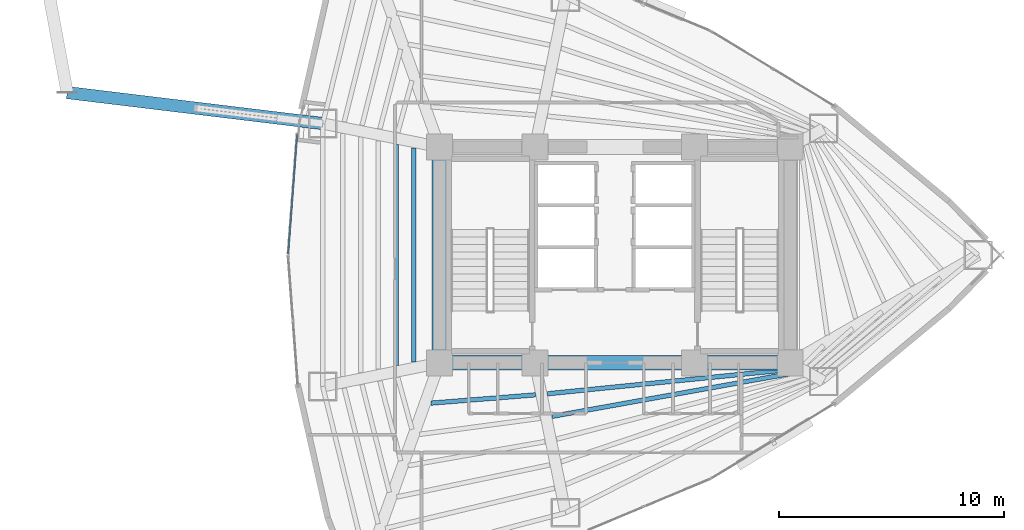
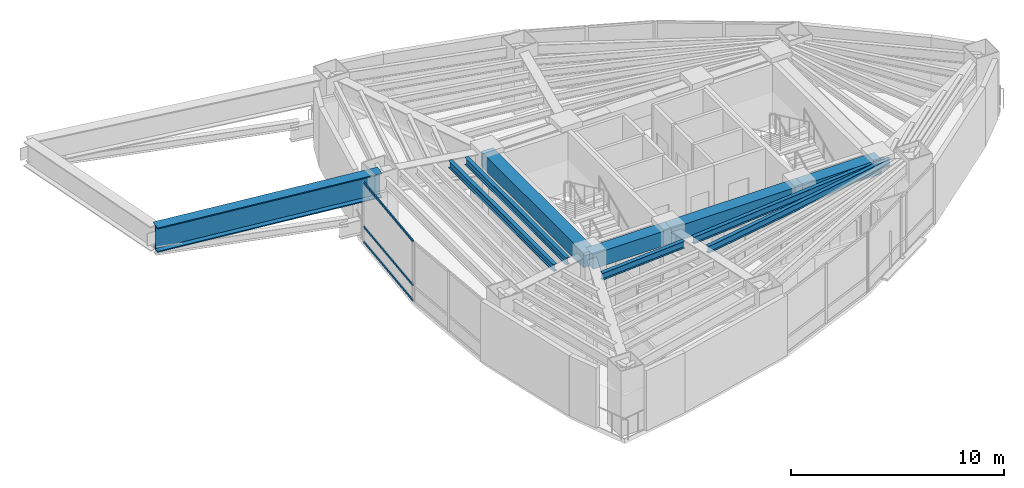
# One storey, part 5 of 17: 10 beams, 3 members, 1 element without a shape of its own.
"""IFC4 building model written with IfcOpenShell, lengths in metres."""

import ifcopenshell
import ifcopenshell.guid

model = None  # the IFC model being written
_history = None  # IfcOwnerHistory: only IFC2X3 demands one
_inside = {}  # id of a spatial element -> (the spatial element, [elements in it])
_under = {}  # id of a project, library or spatial element -> (it, [spatial elements below it])
_declared = {}  # id of a project -> (the project, [libraries it declares])
_typed = {}  # id of a type object -> (the type object, [elements of that type])
_made_of = {}  # id of a material, layer set ... -> (it, [elements and type objects made of it])


def new_model(schema):
    """Start an empty IFC model of exactly this schema.

    Asked for "IFC4X3", IfcOpenShell would pick the latest addendum, in which some entities
    have other attributes; the version numbers below select the first issue.
    IFC2X3 requires an IfcOwnerHistory on every rooted entity: one is made here for all.
    """
    global model, _history
    if schema == "IFC4X3":
        model = ifcopenshell.file(schema_version=(4, 3, 0, 0))
    else:
        model = ifcopenshell.file(schema=schema)
    _inside.clear()
    _under.clear()
    _declared.clear()
    _typed.clear()
    _made_of.clear()
    _history = None
    if model.schema == "IFC2X3":
        org = make("IfcOrganization", Name="unknown")
        user = make(
            "IfcPersonAndOrganization",
            ThePerson=make("IfcPerson", FamilyName="unknown"),
            TheOrganization=org,
        )
        app = make(
            "IfcApplication",
            ApplicationDeveloper=org,
            Version="unknown",
            ApplicationFullName="unknown",
            ApplicationIdentifier="unknown",
        )
        _history = make(
            "IfcOwnerHistory",
            OwningUser=user,
            OwningApplication=app,
            ChangeAction="ADDED",
            CreationDate=0,
        )
    return model


def make(cls, **values):
    """One entity of the class cls with the attributes given. An attribute that is None is left unset."""
    return model.create_entity(
        cls, **{name: value for name, value in values.items() if value is not None}
    )


def rooted(cls, **values):
    """An entity with a GlobalId (a new one), such as an element, a storey or a relation."""
    return make(cls, GlobalId=ifcopenshell.guid.new(), OwnerHistory=_history, **values)


def si_unit(unit_type, name, prefix=None):
    """IfcSIUnit, for example si_unit("LENGTHUNIT", "METRE", prefix="MILLI")."""
    return make("IfcSIUnit", UnitType=unit_type, Prefix=prefix, Name=name)


def assignment(units):
    """IfcUnitAssignment: the units of a project."""
    return None if units is None else make("IfcUnitAssignment", Units=units)


def point(xyz):
    """IfcCartesianPoint."""
    return None if xyz is None else make("IfcCartesianPoint", Coordinates=xyz)


def direction(xyz):
    """IfcDirection."""
    return None if xyz is None else make("IfcDirection", DirectionRatios=xyz)


def frame(location, z_axis=None, x_axis=None):
    """IfcAxis2Placement3D, a coordinate frame: its origin and axes. An axis left out is left unset."""
    return make(
        "IfcAxis2Placement3D",
        Location=point(location),
        Axis=direction(z_axis),
        RefDirection=direction(x_axis),
    )


def frame_2d(location, x_axis=None):
    """IfcAxis2Placement2D, a coordinate frame in the plane: its origin and x axis."""
    return make(
        "IfcAxis2Placement2D", Location=point(location), RefDirection=direction(x_axis)
    )


def origin():
    """The frame at (0, 0, 0) with its axes left unset."""
    return frame((0.0, 0.0, 0.0))


def origin_2d():
    """The frame at (0, 0) in the plane with its x axis left unset."""
    return frame_2d((0.0, 0.0))


def place(relative_to, where):
    """IfcLocalPlacement: puts the frame where relative to a parent placement (None: the world)."""
    return make(
        "IfcLocalPlacement", PlacementRelTo=relative_to, RelativePlacement=where
    )


def context(
    kind, dimensions, precision=None, world=None, true_north=None, identifier=None
):
    """IfcGeometricRepresentationContext, for example the 3D "Model" context."""
    return make(
        "IfcGeometricRepresentationContext",
        ContextIdentifier=identifier,
        ContextType=kind,
        CoordinateSpaceDimension=dimensions,
        Precision=precision,
        WorldCoordinateSystem=world,
        TrueNorth=true_north,
    )


def subcontext(parent, identifier, kind, view, scale=None):
    """IfcGeometricRepresentationSubContext, for example "Body" below "Model"."""
    return make(
        "IfcGeometricRepresentationSubContext",
        ContextIdentifier=identifier,
        ContextType=kind,
        ParentContext=parent,
        TargetScale=scale,
        TargetView=view,
    )


def project(units=None, contexts=None):
    """IfcProject with its units and contexts."""
    return rooted(
        "IfcProject",
        Name="project",
        RepresentationContexts=contexts,
        UnitsInContext=assignment(units),
    )


def spatial(cls, under=None, at=None, **own):
    """A site, building, storey or space (cls), placed at a placement, below another one or the project."""
    s = rooted(cls, ObjectPlacement=at, **own)
    if under is not None:
        _under.setdefault(under.id(), (under, []))[1].append(s)
    return s


def profile(cls, at=None, kind="AREA", **sizes):
    """A parametric profile (cls). Its sizes go by their IFC names, for example OverallWidth=200.0."""
    return make(cls, ProfileType=kind, Position=at, **sizes)


def rectangle(**sizes):
    """IfcRectangleProfileDef."""
    return profile("IfcRectangleProfileDef", **sizes)


def hollow_rectangle(**sizes):
    """IfcRectangleHollowProfileDef."""
    return profile("IfcRectangleHollowProfileDef", **sizes)


def i_section(**sizes):
    """IfcIShapeProfileDef."""
    return profile("IfcIShapeProfileDef", **sizes)


def extrude(swept, where, along, depth):
    """IfcExtrudedAreaSolid: the profile swept, set in the frame where, extruded along a direction by depth."""
    return make(
        "IfcExtrudedAreaSolid",
        SweptArea=swept,
        Position=where,
        ExtrudedDirection=direction(along),
        Depth=depth,
    )


def shape(context_of_items, identifier, shape_type, items):
    """IfcShapeRepresentation: the items that make up one representation, for example the "Body"."""
    return make(
        "IfcShapeRepresentation",
        ContextOfItems=context_of_items,
        RepresentationIdentifier=identifier,
        RepresentationType=shape_type,
        Items=items,
    )


def material(Name=None, Category=None):
    """IfcMaterial."""
    return make("IfcMaterial", Name=Name, Category=Category)


def layer(
    of_material, thickness, ventilated=None, Name=None, Category=None, Priority=None
):
    """IfcMaterialLayer: one layer of a wall or slab, of a material (None: an air gap)."""
    return make(
        "IfcMaterialLayer",
        Material=of_material,
        LayerThickness=thickness,
        IsVentilated=ventilated,
        Name=Name,
        Category=Category,
        Priority=Priority,
    )


def layer_set(layers, Name=None):
    """IfcMaterialLayerSet."""
    return make("IfcMaterialLayerSet", MaterialLayers=layers, LayerSetName=Name)


def material_profile(
    of_material, cross_section, Name=None, Category=None, Priority=None
):
    """IfcMaterialProfile: a cross section and its material."""
    return make(
        "IfcMaterialProfile",
        Name=Name,
        Material=of_material,
        Profile=cross_section,
        Priority=Priority,
        Category=Category,
    )


def profile_set(profiles, Name=None, composite=None):
    """IfcMaterialProfileSet."""
    return make(
        "IfcMaterialProfileSet",
        Name=Name,
        MaterialProfiles=profiles,
        CompositeProfile=composite,
    )


def made_of(thing, what):
    """Note that an element or type object is made of a material, layer set ...; save() writes the relation."""
    if what is not None:
        _made_of.setdefault(what.id(), (what, []))[1].append(thing)
    return thing


def type_object(cls, material=None, **own):
    """A type object (cls), such as IfcWallType, which elements share."""
    return made_of(rooted(cls, **own), material)


def element(
    cls,
    number,
    at=None,
    inside=None,
    cuts=None,
    type_object=None,
    material=None,
    context=None,
    identifier="Body",
    shape_type=None,
    held_by="IfcProductDefinitionShape",
    body=None,
    shapes=None,
    **own,
):
    """One element of the class cls, such as IfcWall. Its Tag is "e" and its number.

    at: its placement. inside: the storey or other place that contains it. cuts: it is an
    opening in that element (IfcRelVoidsElement). A single representation is given by context,
    identifier, shape_type and body (its items); several are given by shapes. held_by: the class
    of the entity that holds the representations. save() writes the other relations.
    """
    e = rooted(cls, Tag="e%d" % number, ObjectPlacement=at, **own)
    if body is not None:
        shapes = [shape(context, identifier, shape_type, body)]
    if shapes is not None:
        e.Representation = make(held_by, Representations=shapes)
    if inside is not None:
        _inside.setdefault(inside.id(), (inside, []))[1].append(e)
    if cuts is not None:
        rooted(
            "IfcRelVoidsElement", RelatingBuildingElement=cuts, RelatedOpeningElement=e
        )
    if type_object is not None:
        _typed.setdefault(type_object.id(), (type_object, []))[1].append(e)
    return made_of(e, material)


def aggregate(whole, parts):
    """IfcRelAggregates: a whole, such as a stair, and the parts it consists of."""
    return rooted("IfcRelAggregates", RelatingObject=whole, RelatedObjects=parts)


def save(model, path):
    """Write the relations noted so far, then the file.

    IfcRelAggregates (storeys below a building ...), IfcRelContainedInSpatialStructure (elements
    in a storey), IfcRelDefinesByType, IfcRelAssociatesMaterial and IfcRelDeclares: one each for
    every whole, place, type object, material and project.
    """
    for whole, parts in _under.values():
        aggregate(whole, parts)
    for where, things in _inside.values():
        rooted(
            "IfcRelContainedInSpatialStructure",
            RelatedElements=things,
            RelatingStructure=where,
        )
    for kind, things in _typed.values():
        rooted("IfcRelDefinesByType", RelatedObjects=things, RelatingType=kind)
    for what, things in _made_of.values():
        rooted("IfcRelAssociatesMaterial", RelatedObjects=things, RelatingMaterial=what)
    for by, libraries in _declared.values():
        rooted("IfcRelDeclares", RelatingContext=by, RelatedDefinitions=libraries)
    model.write(path)


model = new_model("IFC4")

# Units and contexts
model_context = context("Model", 3, precision=1e-05, world=origin(), true_north=direction((0.0, 1.0)))
body_context = subcontext(model_context, "Body", "Model", "MODEL_VIEW")
ifc_project = project(units=[si_unit("LENGTHUNIT", "METRE"), si_unit("AREAUNIT", "SQUARE_METRE"), si_unit("VOLUMEUNIT", "CUBIC_METRE"), si_unit("PLANEANGLEUNIT", "RADIAN"), si_unit("MASSUNIT", "GRAM", prefix="KILO")], contexts=[model_context])

# Site, building, storey
site_placement = place(None, origin())
site = spatial("IfcSite", under=ifc_project, at=site_placement, CompositionType="ELEMENT")
building_placement = place(site_placement, origin())
building = spatial("IfcBuilding", under=site, at=building_placement, Name="Menara Vayukalpa", CompositionType="ELEMENT")
storey_placement = place(building_placement, frame((0.0, 0.0, 100.260009765625)))
storey = spatial("IfcBuildingStorey", under=building, at=storey_placement, Name="L24", CompositionType="ELEMENT", Elevation=100.260009765625)

# Beams
ifc_material_1 = material(Name="Concrete C60/75", Category="concrete")
ifc_material_profile_1 = material_profile(ifc_material_1, rectangle(XDim=0.64990234375, YDim=0.85009765625, at=origin_2d()), Name="RC 650x850")
ifc_profile_set_1 = profile_set([ifc_material_profile_1], Name="Concrete C60/75")
beam_type_1 = type_object("IfcBeamType", Name="BM-CB1", PredefinedType="BEAM", material=ifc_profile_set_1)
beam_1_placement = place(storey_placement, frame((17.800048828125, 17.199951171875, 3.014892578125), z_axis=(1.0, 0.0, 0.0), x_axis=(0.0, 1.0, 0.0)))
element("IfcBeam", 1, at=beam_1_placement, inside=storey, type_object=beam_type_1, Name="L24 Core Tie Beam CBR1", PredefinedType="BEAM", context=body_context, shape_type="SweptSolid", body=[
    extrude(rectangle(XDim=0.64990234375, YDim=0.85009765625, at=origin_2d()), origin(), (0.0, 0.0, 1.0), 4.25),
])
beam_2_placement = place(storey_placement, frame((22.050048828125, 17.199951171875, 3.014892578125), z_axis=(1.0, 0.0, 0.0), x_axis=(0.0, 1.0, 0.0)))
element("IfcBeam", 2, at=beam_2_placement, inside=storey, type_object=beam_type_1, Name="L24 Core Tie Beam CBR2", PredefinedType="BEAM", context=body_context, shape_type="SweptSolid", body=[
    extrude(rectangle(XDim=0.64990234375, YDim=0.85009765625, at=origin_2d()), origin(), (0.0, 0.0, 1.0), 7.099853515625),
])
beam_3_placement = place(storey_placement, frame((29.14990234375, 17.199951171875, 3.014892578125), z_axis=(1.0, 0.0, 0.0), x_axis=(0.0, 1.0, 0.0)))
element("IfcBeam", 3, at=beam_3_placement, inside=storey, type_object=beam_type_1, Name="L24 Core Tie Beam CBR3", PredefinedType="BEAM", context=body_context, shape_type="SweptSolid", body=[
    extrude(rectangle(XDim=0.64990234375, YDim=0.85009765625, at=origin_2d()), origin(), (0.0, 0.0, 1.0), 4.25),
])
beam_4_placement = place(storey_placement, frame((17.800048828125, 17.199951171875, 3.014892578125), z_axis=(0.0, 1.0, 0.0), x_axis=(-1.0, 0.0, 0.0)))
element("IfcBeam", 4, at=beam_4_placement, inside=storey, type_object=beam_type_1, Name="L24 Core Tie Beam CBR7", PredefinedType="BEAM", context=body_context, shape_type="SweptSolid", body=[
    extrude(rectangle(XDim=0.64990234375, YDim=0.85009765625, at=origin_2d()), origin(), (0.0, 0.0, 1.0), 9.60009765625),
])
ifc_material_2 = material(Name="Steel S355", Category="steel")
ifc_material_profile_2 = material_profile(ifc_material_2, i_section(OverallWidth=0.199951171875, OverallDepth=0.39990234375, WebThickness=0.008056640625, FlangeThickness=0.012939453125, at=origin_2d()), Name="WF 400x200x8x13")
ifc_profile_set_2 = profile_set([ifc_material_profile_2], Name="Steel S355")
beam_type_2 = type_object("IfcBeamType", Name="BM-SJ2", PredefinedType="JOIST", material=ifc_profile_set_2)
beam_5_placement = place(storey_placement, frame((16.664306640625, 26.7587890625, 3.239990234375), z_axis=(0.0, -1.0, 0.0), x_axis=(1.0, 0.0, 0.0)))
element("IfcBeam", 5, at=beam_5_placement, inside=storey, type_object=beam_type_2, Name="L24 Secondary Floor Joist SJ05-1", PredefinedType="JOIST", context=body_context, shape_type="SweptSolid", body=[
    extrude(i_section(OverallWidth=0.199951171875, OverallDepth=0.39990234375, WebThickness=0.008056640625, FlangeThickness=0.012939453125, at=origin_2d()), origin(), (0.0, 0.0, 1.0), 9.517578125),
])
beam_6_placement = place(storey_placement, frame((15.87255859375, 26.918212890625, 3.239990234375), z_axis=(0.0, -1.0, 0.0), x_axis=(1.0, 0.0, 0.0)))
element("IfcBeam", 6, at=beam_6_placement, inside=storey, type_object=beam_type_2, Name="L24 Secondary Floor Joist SJ05-2", PredefinedType="JOIST", context=body_context, shape_type="SweptSolid", body=[
    extrude(i_section(OverallWidth=0.199951171875, OverallDepth=0.39990234375, WebThickness=0.008056640625, FlangeThickness=0.012939453125, at=origin_2d()), origin(), (0.0, 0.0, 1.0), 9.83642578125),
])
beam_7_placement = place(storey_placement, frame((17.418212890625, 15.408935546875, 3.239990234375), z_axis=(0.9968693244, 0.079066744398, 0.0), x_axis=(-0.079066744398, 0.9968693244, 0.0)))
element("IfcBeam", 7, at=beam_7_placement, inside=storey, type_object=beam_type_2, Name="L24 Secondary Floor Joist SJ07-1", PredefinedType="JOIST", context=body_context, shape_type="SweptSolid", body=[
    extrude(i_section(OverallWidth=0.199951171875, OverallDepth=0.39990234375, WebThickness=0.008056640625, FlangeThickness=0.012939453125, at=origin_2d()), origin(), (0.0, 0.0, 1.0), 4.66259765625),
])
beam_8_placement = place(storey_placement, frame((22.60400390625, 15.825927734375, 3.239990234375), z_axis=(0.995013272717, 0.099742604322, 0.0), x_axis=(-0.099742604322, 0.995013272717, 0.0)))
element("IfcBeam", 8, at=beam_8_placement, inside=storey, type_object=beam_type_2, Name="L24 Secondary Floor Joist SJ08-1", PredefinedType="JOIST", context=body_context, shape_type="SweptSolid", body=[
    extrude(i_section(OverallWidth=0.199951171875, OverallDepth=0.39990234375, WebThickness=0.008056640625, FlangeThickness=0.012939453125, at=origin_2d()), origin(), (0.0, 0.0, 1.0), 11.029296875),
])
beam_9_placement = place(storey_placement, frame((22.810546875, 14.819091796875, 3.239990234375), z_axis=(0.984204848425, 0.177033376335, 0.0), x_axis=(-0.177033376335, 0.984204848425, 0.0)))
element("IfcBeam", 9, at=beam_9_placement, inside=storey, type_object=beam_type_2, Name="L24 Secondary Floor Joist SJ08-2", PredefinedType="JOIST", context=body_context, shape_type="SweptSolid", body=[
    extrude(i_section(OverallWidth=0.199951171875, OverallDepth=0.39990234375, WebThickness=0.008056640625, FlangeThickness=0.012939453125, at=origin_2d()), origin(), (0.0, 0.0, 1.0), 11.149658203125),
])
ifc_material_3 = material(Name="Steel S460", Category="steel")
ifc_material_profile_3 = material_profile(ifc_material_3, i_section(OverallWidth=0.550048828125, OverallDepth=1.39990234375, WebThickness=0.031982421875, FlangeThickness=0.06005859375, at=origin_2d()), Name="WG 1400x550x32x60")
ifc_profile_set_3 = profile_set([ifc_material_profile_3], Name="Steel S460")
beam_type_3 = type_object("IfcBeamType", Name="BM-TG1E", PredefinedType="BEAM", material=ifc_profile_set_3)
beam_10_placement = place(storey_placement, frame((12.606689453125, 27.845703125, 2.739990234375), z_axis=(-0.992737332151, 0.120302075433, 0.0), x_axis=(-0.120302075433, -0.992737332151, 0.0)))
element("IfcBeam", 10, at=beam_10_placement, inside=storey, type_object=beam_type_3, Name="L24 SB2 Cantilever Support Transfer Girder 05", PredefinedType="BEAM", context=body_context, shape_type="SweptSolid", body=[
    extrude(i_section(OverallWidth=0.550048828125, OverallDepth=1.39990234375, WebThickness=0.031982421875, FlangeThickness=0.06005859375, at=origin_2d()), origin(), (0.0, 0.0, 1.0), 11.449951171875),
])

# Curtain wall, members
ifc_material_4 = material(Name="Anodised Terracotta Aluminium Alloy 6063-T6", Category="masonry")
ifc_layer = layer(ifc_material_4, 0.14990234375)
ifc_layer_set = layer_set([ifc_layer], Name="Anodised Terracotta Aluminium Alloy 6063-T6")
curtain_wall_type = type_object("IfcCurtainWallType", Name="CW-CW3", PredefinedType="USERDEFINED", material=ifc_layer_set)
curtain_wall_placement = place(storey_placement, origin())
curtain_wall = element("IfcCurtainWall", 11, at=curtain_wall_placement, inside=storey, type_object=curtain_wall_type, Name="L24 Mid Rise Terracotta Ribbon Curtain Wall CW3 10", ObjectType="UNITISED", PredefinedType="USERDEFINED")
ifc_material_5 = material(Name="Anodised Terracotta Aluminium Alloy 6063-T6", Category="masonry")
ifc_material_profile_4 = material_profile(ifc_material_5, hollow_rectangle(XDim=0.06494140625, YDim=0.1201171875, WallThickness=0.00341796875, at=origin_2d()), Name="ALU 65x120x3.5")
ifc_profile_set_4 = profile_set([ifc_material_profile_4], Name="Anodised Terracotta Aluminium Alloy 6063-T6")
member_type = type_object("IfcMemberType", Name="CWT-CW3", PredefinedType="USERDEFINED", material=ifc_profile_set_4)
member_1_placement = place(storey_placement, frame((11.47021484375, 27.35986328125, 0.032470703125), z_axis=(-0.074804807222, -0.997198195354, 0.0), x_axis=(0.997198195354, -0.074804807222, 0.0)))
member_1 = element("IfcMember", 12, at=member_1_placement, type_object=member_type, Name="CW3 transom 1.1", ObjectType="TRANSOM", PredefinedType="USERDEFINED", context=body_context, shape_type="SweptSolid", body=[
    extrude(hollow_rectangle(XDim=0.06494140625, YDim=0.1201171875, WallThickness=0.00341796875, at=origin_2d()), origin(), (0.0, 0.0, 1.0), 5.31005859375),
])
member_2_placement = place(storey_placement, frame((11.47021484375, 27.35986328125, 0.89990234375), z_axis=(-0.074804807222, -0.997198195354, 0.0), x_axis=(0.997198195354, -0.074804807222, 0.0)))
member_2 = element("IfcMember", 13, at=member_2_placement, type_object=member_type, Name="CW3 transom 1.2", ObjectType="TRANSOM", PredefinedType="USERDEFINED", context=body_context, shape_type="SweptSolid", body=[
    extrude(hollow_rectangle(XDim=0.06494140625, YDim=0.1201171875, WallThickness=0.00341796875, at=origin_2d()), origin(), (0.0, 0.0, 1.0), 5.31005859375),
])
member_3_placement = place(storey_placement, frame((11.47021484375, 27.35986328125, 3.407470703125), z_axis=(-0.074804807222, -0.997198195354, 0.0), x_axis=(0.997198195354, -0.074804807222, 0.0)))
member_3 = element("IfcMember", 14, at=member_3_placement, type_object=member_type, Name="CW3 transom 1.3", ObjectType="TRANSOM", PredefinedType="USERDEFINED", context=body_context, shape_type="SweptSolid", body=[
    extrude(hollow_rectangle(XDim=0.06494140625, YDim=0.1201171875, WallThickness=0.00341796875, at=origin_2d()), origin(), (0.0, 0.0, 1.0), 5.31005859375),
])
aggregate(curtain_wall, [member_1, member_2, member_3])

save(model, "model.ifc")
